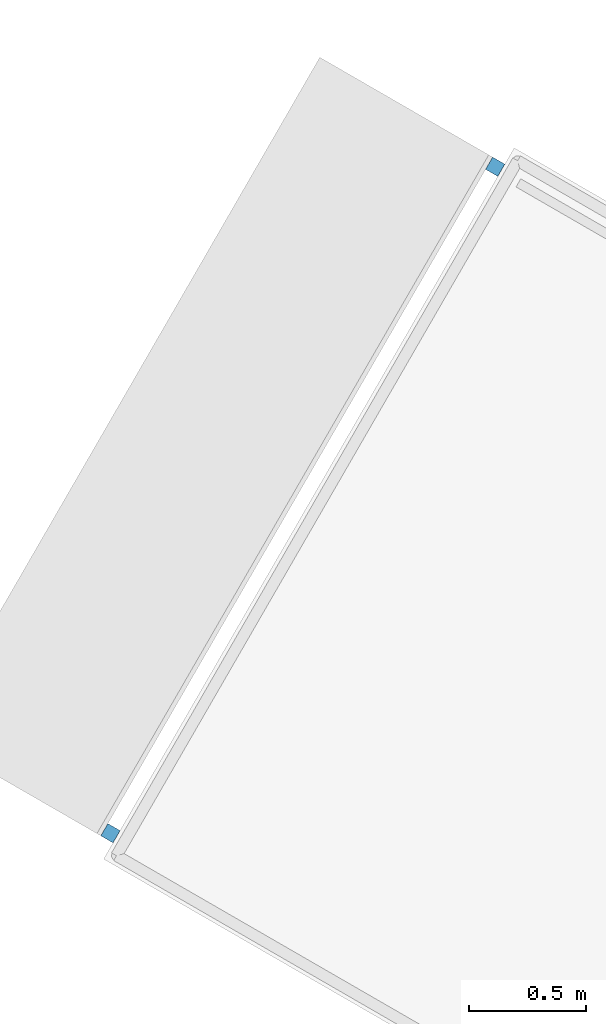
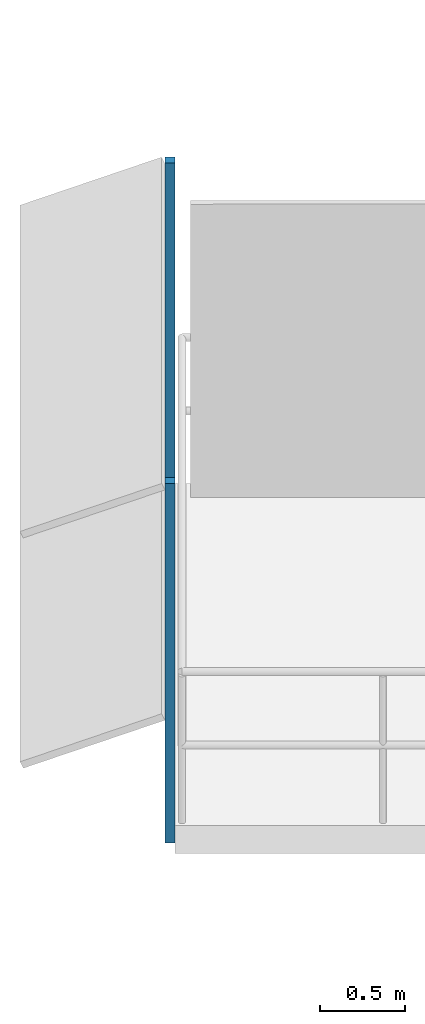
# One storey, part 11 of 14: 2 discrete accessories.
"""IFC4 building model written with IfcOpenShell, lengths in metres."""

import ifcopenshell
import ifcopenshell.guid

model = None  # the IFC model being written
_history = None  # IfcOwnerHistory: only IFC2X3 demands one
_inside = {}  # id of a spatial element -> (the spatial element, [elements in it])
_under = {}  # id of a project, library or spatial element -> (it, [spatial elements below it])
_declared = {}  # id of a project -> (the project, [libraries it declares])
_typed = {}  # id of a type object -> (the type object, [elements of that type])
_made_of = {}  # id of a material, layer set ... -> (it, [elements and type objects made of it])


def new_model(schema):
    """Start an empty IFC model of exactly this schema.

    Asked for "IFC4X3", IfcOpenShell would pick the latest addendum, in which some entities
    have other attributes; the version numbers below select the first issue.
    IFC2X3 requires an IfcOwnerHistory on every rooted entity: one is made here for all.
    """
    global model, _history
    if schema == "IFC4X3":
        model = ifcopenshell.file(schema_version=(4, 3, 0, 0))
    else:
        model = ifcopenshell.file(schema=schema)
    _inside.clear()
    _under.clear()
    _declared.clear()
    _typed.clear()
    _made_of.clear()
    _history = None
    if model.schema == "IFC2X3":
        org = make("IfcOrganization", Name="unknown")
        user = make(
            "IfcPersonAndOrganization",
            ThePerson=make("IfcPerson", FamilyName="unknown"),
            TheOrganization=org,
        )
        app = make(
            "IfcApplication",
            ApplicationDeveloper=org,
            Version="unknown",
            ApplicationFullName="unknown",
            ApplicationIdentifier="unknown",
        )
        _history = make(
            "IfcOwnerHistory",
            OwningUser=user,
            OwningApplication=app,
            ChangeAction="ADDED",
            CreationDate=0,
        )
    return model


def make(cls, **values):
    """One entity of the class cls with the attributes given. An attribute that is None is left unset."""
    return model.create_entity(
        cls, **{name: value for name, value in values.items() if value is not None}
    )


def rooted(cls, **values):
    """An entity with a GlobalId (a new one), such as an element, a storey or a relation."""
    return make(cls, GlobalId=ifcopenshell.guid.new(), OwnerHistory=_history, **values)


def si_unit(unit_type, name, prefix=None):
    """IfcSIUnit, for example si_unit("LENGTHUNIT", "METRE", prefix="MILLI")."""
    return make("IfcSIUnit", UnitType=unit_type, Prefix=prefix, Name=name)


def assignment(units):
    """IfcUnitAssignment: the units of a project."""
    return None if units is None else make("IfcUnitAssignment", Units=units)


def point(xyz):
    """IfcCartesianPoint."""
    return None if xyz is None else make("IfcCartesianPoint", Coordinates=xyz)


def direction(xyz):
    """IfcDirection."""
    return None if xyz is None else make("IfcDirection", DirectionRatios=xyz)


def frame(location, z_axis=None, x_axis=None):
    """IfcAxis2Placement3D, a coordinate frame: its origin and axes. An axis left out is left unset."""
    return make(
        "IfcAxis2Placement3D",
        Location=point(location),
        Axis=direction(z_axis),
        RefDirection=direction(x_axis),
    )


def frame_2d(location, x_axis=None):
    """IfcAxis2Placement2D, a coordinate frame in the plane: its origin and x axis."""
    return make(
        "IfcAxis2Placement2D", Location=point(location), RefDirection=direction(x_axis)
    )


def origin():
    """The frame at (0, 0, 0) with its axes left unset."""
    return frame((0.0, 0.0, 0.0))


def origin_2d():
    """The frame at (0, 0) in the plane with its x axis left unset."""
    return frame_2d((0.0, 0.0))


def place(relative_to, where):
    """IfcLocalPlacement: puts the frame where relative to a parent placement (None: the world)."""
    return make(
        "IfcLocalPlacement", PlacementRelTo=relative_to, RelativePlacement=where
    )


def context(
    kind, dimensions, precision=None, world=None, true_north=None, identifier=None
):
    """IfcGeometricRepresentationContext, for example the 3D "Model" context."""
    return make(
        "IfcGeometricRepresentationContext",
        ContextIdentifier=identifier,
        ContextType=kind,
        CoordinateSpaceDimension=dimensions,
        Precision=precision,
        WorldCoordinateSystem=world,
        TrueNorth=true_north,
    )


def subcontext(parent, identifier, kind, view, scale=None):
    """IfcGeometricRepresentationSubContext, for example "Body" below "Model"."""
    return make(
        "IfcGeometricRepresentationSubContext",
        ContextIdentifier=identifier,
        ContextType=kind,
        ParentContext=parent,
        TargetScale=scale,
        TargetView=view,
    )


def project(units=None, contexts=None):
    """IfcProject with its units and contexts."""
    return rooted(
        "IfcProject",
        Name="project",
        RepresentationContexts=contexts,
        UnitsInContext=assignment(units),
    )


def spatial(cls, under=None, at=None, **own):
    """A site, building, storey or space (cls), placed at a placement, below another one or the project."""
    s = rooted(cls, ObjectPlacement=at, **own)
    if under is not None:
        _under.setdefault(under.id(), (under, []))[1].append(s)
    return s


def profile(cls, at=None, kind="AREA", **sizes):
    """A parametric profile (cls). Its sizes go by their IFC names, for example OverallWidth=200.0."""
    return make(cls, ProfileType=kind, Position=at, **sizes)


def rectangle(**sizes):
    """IfcRectangleProfileDef."""
    return profile("IfcRectangleProfileDef", **sizes)


def extrude(swept, where, along, depth):
    """IfcExtrudedAreaSolid: the profile swept, set in the frame where, extruded along a direction by depth."""
    return make(
        "IfcExtrudedAreaSolid",
        SweptArea=swept,
        Position=where,
        ExtrudedDirection=direction(along),
        Depth=depth,
    )


def shape(context_of_items, identifier, shape_type, items):
    """IfcShapeRepresentation: the items that make up one representation, for example the "Body"."""
    return make(
        "IfcShapeRepresentation",
        ContextOfItems=context_of_items,
        RepresentationIdentifier=identifier,
        RepresentationType=shape_type,
        Items=items,
    )


def material(Name=None, Category=None):
    """IfcMaterial."""
    return make("IfcMaterial", Name=Name, Category=Category)


def made_of(thing, what):
    """Note that an element or type object is made of a material, layer set ...; save() writes the relation."""
    if what is not None:
        _made_of.setdefault(what.id(), (what, []))[1].append(thing)
    return thing


def type_object(cls, material=None, **own):
    """A type object (cls), such as IfcWallType, which elements share."""
    return made_of(rooted(cls, **own), material)


def element(
    cls,
    number,
    at=None,
    inside=None,
    cuts=None,
    type_object=None,
    material=None,
    context=None,
    identifier="Body",
    shape_type=None,
    held_by="IfcProductDefinitionShape",
    body=None,
    shapes=None,
    **own,
):
    """One element of the class cls, such as IfcWall. Its Tag is "e" and its number.

    at: its placement. inside: the storey or other place that contains it. cuts: it is an
    opening in that element (IfcRelVoidsElement). A single representation is given by context,
    identifier, shape_type and body (its items); several are given by shapes. held_by: the class
    of the entity that holds the representations. save() writes the other relations.
    """
    e = rooted(cls, Tag="e%d" % number, ObjectPlacement=at, **own)
    if body is not None:
        shapes = [shape(context, identifier, shape_type, body)]
    if shapes is not None:
        e.Representation = make(held_by, Representations=shapes)
    if inside is not None:
        _inside.setdefault(inside.id(), (inside, []))[1].append(e)
    if cuts is not None:
        rooted(
            "IfcRelVoidsElement", RelatingBuildingElement=cuts, RelatedOpeningElement=e
        )
    if type_object is not None:
        _typed.setdefault(type_object.id(), (type_object, []))[1].append(e)
    return made_of(e, material)


def aggregate(whole, parts):
    """IfcRelAggregates: a whole, such as a stair, and the parts it consists of."""
    return rooted("IfcRelAggregates", RelatingObject=whole, RelatedObjects=parts)


def save(model, path):
    """Write the relations noted so far, then the file.

    IfcRelAggregates (storeys below a building ...), IfcRelContainedInSpatialStructure (elements
    in a storey), IfcRelDefinesByType, IfcRelAssociatesMaterial and IfcRelDeclares: one each for
    every whole, place, type object, material and project.
    """
    for whole, parts in _under.values():
        aggregate(whole, parts)
    for where, things in _inside.values():
        rooted(
            "IfcRelContainedInSpatialStructure",
            RelatedElements=things,
            RelatingStructure=where,
        )
    for kind, things in _typed.values():
        rooted("IfcRelDefinesByType", RelatedObjects=things, RelatingType=kind)
    for what, things in _made_of.values():
        rooted("IfcRelAssociatesMaterial", RelatedObjects=things, RelatingMaterial=what)
    for by, libraries in _declared.values():
        rooted("IfcRelDeclares", RelatingContext=by, RelatedDefinitions=libraries)
    model.write(path)


model = new_model("IFC4")

# Units and contexts
model_context = context("Model", 3, precision=1e-05, world=origin(), true_north=direction((0.0, 1.0)))
body_context = subcontext(model_context, "Body", "Model", "MODEL_VIEW")
ifc_project = project(units=[si_unit("LENGTHUNIT", "METRE"), si_unit("AREAUNIT", "SQUARE_METRE"), si_unit("VOLUMEUNIT", "CUBIC_METRE"), si_unit("PLANEANGLEUNIT", "RADIAN"), si_unit("MASSUNIT", "GRAM", prefix="KILO")], contexts=[model_context])

# Site, building, storey
site_placement = place(None, origin())
site = spatial("IfcSite", under=ifc_project, at=site_placement, CompositionType="ELEMENT")
building_placement = place(site_placement, origin())
building = spatial("IfcBuilding", under=site, at=building_placement, Name="Nakaniwa Court", CompositionType="ELEMENT")
storey_placement = place(building_placement, frame((0.0, 0.0, 259.199951171875)))
storey = spatial("IfcBuildingStorey", under=building, at=storey_placement, Name="L68", CompositionType="ELEMENT", Elevation=259.199951171875)

# Discrete accessories
ifc_material = material(Name="Black powder-coated steel bracket S275", Category="steel")
discrete_accessory_type = type_object("IfcDiscreteAccessoryType", Name="Black metal louvre bracket", PredefinedType="BRACKET", material=ifc_material)
for number, where, z_axis, x_axis, name in (
    (1, (58.026611328125, 92.100830078125, -0.229736328125), (0.0, 0.0, 1.0), (-0.499986396443, -0.866033257659, 0.0), "L68 louvre bracket 01 1"),
    (2, (56.386962890625, 89.260986328125, -0.229736328125), (0.0, 0.0, 1.0), (-0.499986396443, -0.866033257659, 0.0), "L68 louvre bracket 01 2"),
):
    element("IfcDiscreteAccessory", number, at=place(storey_placement, frame(where, z_axis=z_axis, x_axis=x_axis)), inside=storey, type_object=discrete_accessory_type, Name=name, PredefinedType="BRACKET", context=body_context, shape_type="SweptSolid", body=[
        extrude(rectangle(XDim=0.06005859375, YDim=0.06005859375, at=origin_2d()), origin(), (0.0, 0.0, 1.0), 2.5751953125),
    ])

save(model, "model.ifc")
